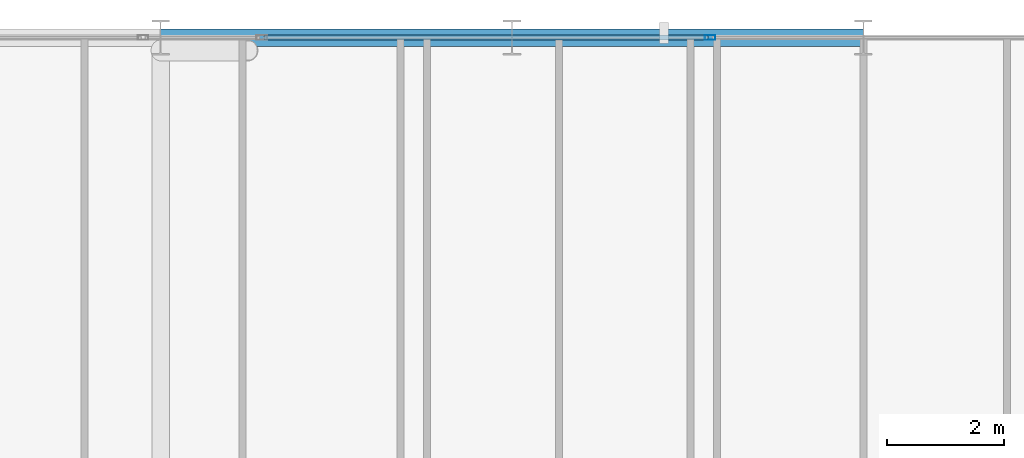
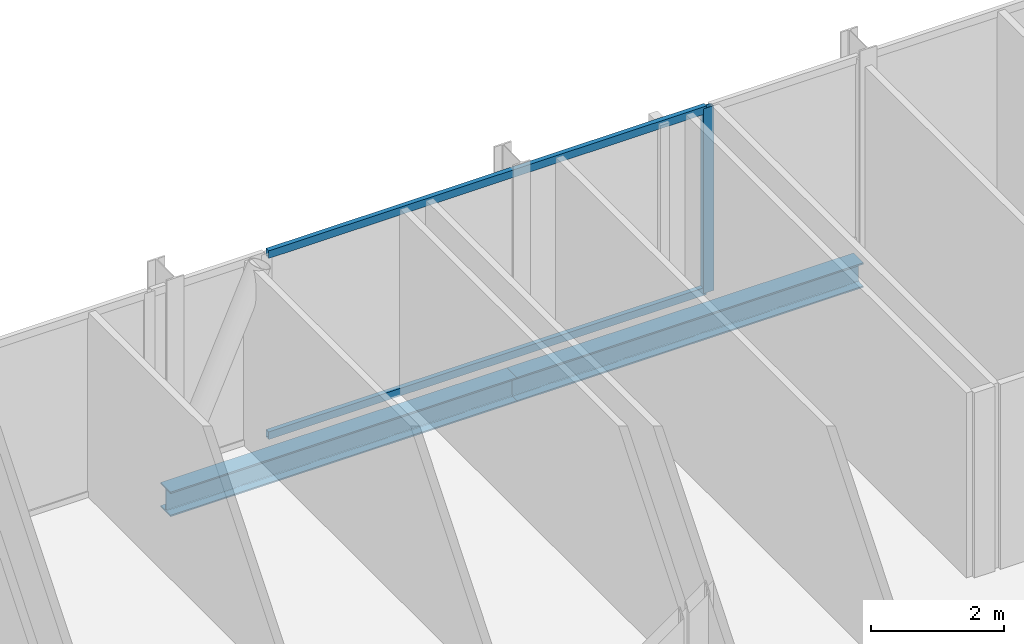
# One storey, part 19 of 29: 3 members, 2 beams, 1 element without a shape of its own.
"""IFC4 building model written with IfcOpenShell, lengths in metres."""

from ifc_helpers import new_model, si_unit, direction, frame, origin, origin_2d, place, context, subcontext, project, spatial, hollow_rectangle, i_section, extrude, material, layer, layer_set, material_profile, profile_set, type_object, element, aggregate, save


model = new_model("IFC4")

# Units and contexts
model_context = context("Model", 3, precision=1e-05, world=origin(), true_north=direction((0.0, 1.0)))
body_context = subcontext(model_context, "Body", "Model", "MODEL_VIEW")
ifc_project = project(units=[si_unit("LENGTHUNIT", "METRE"), si_unit("AREAUNIT", "SQUARE_METRE"), si_unit("VOLUMEUNIT", "CUBIC_METRE"), si_unit("PLANEANGLEUNIT", "RADIAN"), si_unit("MASSUNIT", "GRAM", prefix="KILO")], contexts=[model_context])

# Site, building, storey
site_placement = place(None, origin())
site = spatial("IfcSite", under=ifc_project, at=site_placement, CompositionType="ELEMENT")
building_placement = place(site_placement, origin())
building = spatial("IfcBuilding", under=site, at=building_placement, Name="Keshet Zoharim Tower", CompositionType="ELEMENT")
storey_placement = place(building_placement, frame((0.0, 0.0, 102.0)))
storey = spatial("IfcBuildingStorey", under=building, at=storey_placement, Name="L24", CompositionType="ELEMENT", Elevation=102.0)

# Beams
ifc_material_1 = material(Name="Steel S355", Category="steel")
ifc_material_profile_1 = material_profile(ifc_material_1, i_section(OverallWidth=0.300048828125, OverallDepth=0.449951171875, WebThickness=0.013916015625, FlangeThickness=0.02587890625, FilletRadius=0.027099609375, at=origin_2d()), Name="HEB450")
ifc_profile_set_1 = profile_set([ifc_material_profile_1], Name="Steel S355")
beam_type = type_object("IfcBeamType", Name="BM-WEB-HB450", PredefinedType="BEAM", material=ifc_profile_set_1)
for number, where, z_axis, x_axis, name in (
    (1, (33.0, 53.89990234375, -0.5400390625), (1.0, 0.0, 0.0), (0.0, 1.0, 0.0), "L24 Primary Girder X-021"),
    (2, (39.0, 53.89990234375, -0.5400390625), (1.0, 0.0, 0.0), (0.0, 1.0, 0.0), "L24 Primary Girder X-022"),
):
    element("IfcBeam", number, at=place(storey_placement, frame(where, z_axis=z_axis, x_axis=x_axis)), inside=storey, type_object=beam_type, Name=name, PredefinedType="BEAM", context=body_context, shape_type="SweptSolid", body=[
        extrude(i_section(OverallWidth=0.300048828125, OverallDepth=0.449951171875, WebThickness=0.013916015625, FlangeThickness=0.02587890625, FilletRadius=0.027099609375, at=origin_2d()), origin(), (0.0, 0.0, 1.0), 6.0),
    ])

# Curtain wall, members
ifc_material_2 = material(Name="Aluminium 6063-T6", Category="aluminium")
ifc_layer = layer(ifc_material_2, 0.159912109375)
ifc_layer_set = layer_set([ifc_layer], Name="Aluminium 6063-T6")
curtain_wall_type = type_object("IfcCurtainWallType", Name="CW-SYS-03", PredefinedType="NOTDEFINED", material=ifc_layer_set)
curtain_wall_placement = place(storey_placement, origin())
curtain_wall = element("IfcCurtainWall", 3, at=curtain_wall_placement, inside=storey, type_object=curtain_wall_type, Name="L24 Unitised Curtain Wall 13 Part 5", PredefinedType="NOTDEFINED")
ifc_material_profile_2 = material_profile(ifc_material_2, hollow_rectangle(XDim=0.080078125, YDim=0.179931640625, WallThickness=0.00439453125, at=origin_2d()), Name="MUL-80x180")
ifc_profile_set_2 = profile_set([ifc_material_profile_2], Name="Aluminium 6063-T6")
member_type_1 = type_object("IfcMemberType", Name="CWM-M18", PredefinedType="MULLION", material=ifc_profile_set_2)
member_1_placement = place(storey_placement, frame((42.38134765625, 53.89990234375, 0.0), z_axis=(0.0, 0.0, 1.0), x_axis=(0.0, 1.0, 0.0)))
member_1 = element("IfcMember", 4, at=member_1_placement, type_object=member_type_1, Name="CW-03 mullion 2", PredefinedType="MULLION", context=body_context, shape_type="SweptSolid", body=[
    extrude(hollow_rectangle(XDim=0.080078125, YDim=0.179931640625, WallThickness=0.00439453125, at=origin_2d()), origin(), (0.0, 0.0, 1.0), 3.385009765625),
])
ifc_material_profile_3 = material_profile(ifc_material_2, hollow_rectangle(XDim=0.080078125, YDim=0.139892578125, WallThickness=0.00390625, at=origin_2d()), Name="TRN-80x140")
ifc_profile_set_3 = profile_set([ifc_material_profile_3], Name="Aluminium 6063-T6")
member_type_2 = type_object("IfcMemberType", Name="CWT-T14", PredefinedType="USERDEFINED", material=ifc_profile_set_3)
member_2_placement = place(storey_placement, frame((34.7626953125, 53.89990234375, 0.034912109375), z_axis=(1.0, 0.0, 0.0), x_axis=(0.0, 1.0, 0.0)))
member_2 = element("IfcMember", 5, at=member_2_placement, type_object=member_type_2, Name="CW-03 transom 1.1", ObjectType="TRANSOM", PredefinedType="USERDEFINED", context=body_context, shape_type="SweptSolid", body=[
    extrude(hollow_rectangle(XDim=0.080078125, YDim=0.139892578125, WallThickness=0.00390625, at=origin_2d()), origin(), (0.0, 0.0, 1.0), 7.58349609375),
])
member_3_placement = place(storey_placement, frame((34.7626953125, 53.89990234375, 3.35009765625), z_axis=(1.0, 0.0, 0.0), x_axis=(0.0, 1.0, 0.0)))
member_3 = element("IfcMember", 6, at=member_3_placement, type_object=member_type_2, Name="CW-03 transom 1.2", ObjectType="TRANSOM", PredefinedType="USERDEFINED", context=body_context, shape_type="SweptSolid", body=[
    extrude(hollow_rectangle(XDim=0.080078125, YDim=0.139892578125, WallThickness=0.00390625, at=origin_2d()), origin(), (0.0, 0.0, 1.0), 7.58349609375),
])
aggregate(curtain_wall, [member_1, member_2, member_3])

save(model, "model.ifc")
